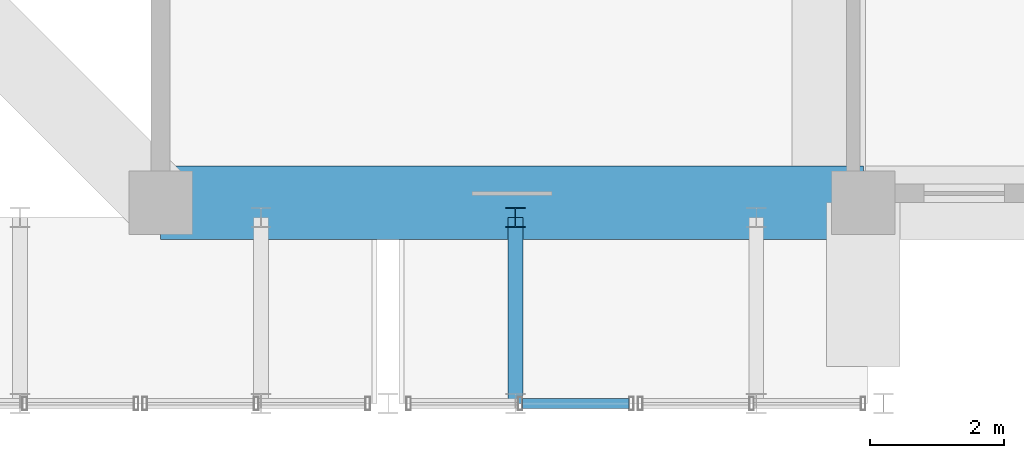
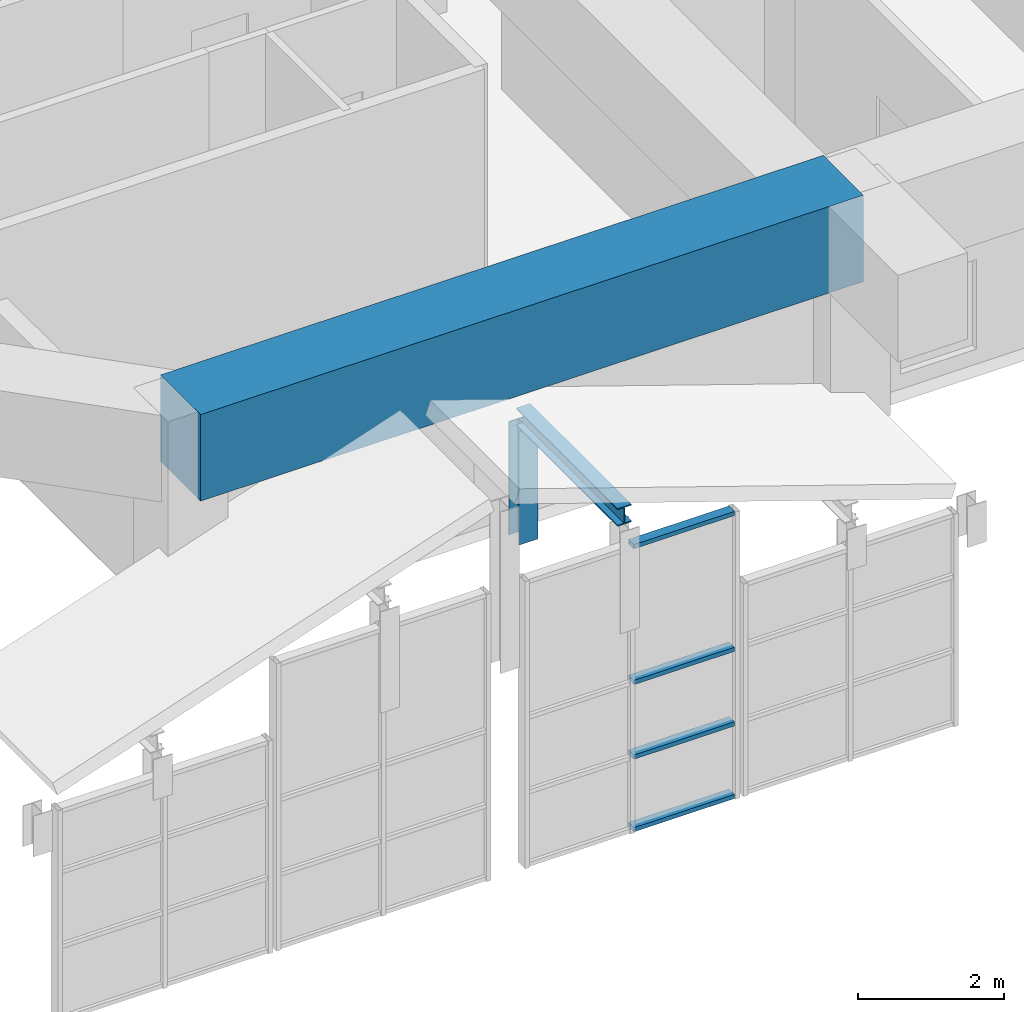
# One storey, part 3 of 45: 6 members, 1 beam, 1 element without a shape of its own.
"""IFC4 building model written with IfcOpenShell, lengths in metres."""

from ifc_helpers import new_model, si_unit, direction, frame, origin, origin_2d, place, context, subcontext, project, spatial, rectangle, hollow_rectangle, i_section, extrude, source, transform, mapped, material, layer, layer_set, material_profile, profile_set, type_object, element, aggregate, save


model = new_model("IFC4")

# Units and contexts
model_context = context("Model", 3, precision=1e-05, world=origin(), true_north=direction((0.0, 1.0)))
body_context = subcontext(model_context, "Body", "Model", "MODEL_VIEW")
ifc_project = project(units=[si_unit("LENGTHUNIT", "METRE"), si_unit("AREAUNIT", "SQUARE_METRE"), si_unit("VOLUMEUNIT", "CUBIC_METRE"), si_unit("PLANEANGLEUNIT", "RADIAN"), si_unit("MASSUNIT", "GRAM", prefix="KILO")], contexts=[model_context])

# Site, building, storey
site_placement = place(None, origin())
site = spatial("IfcSite", under=ifc_project, at=site_placement, CompositionType="ELEMENT")
building_placement = place(site_placement, origin())
building = spatial("IfcBuilding", under=site, at=building_placement, Name="Saelheon Loggia Tower", CompositionType="ELEMENT")
storey_placement = place(building_placement, frame((0.0, 0.0, 152.199951171875)))
storey = spatial("IfcBuildingStorey", under=building, at=storey_placement, Name="L48", CompositionType="ELEMENT", Elevation=152.199951171875)

# Members
ifc_material_1 = material(Name="Steel SM355", Category="steel")
ifc_material_profile_1 = material_profile(ifc_material_1, i_section(OverallWidth=0.219970703125, OverallDepth=0.300048828125, WebThickness=0.011962890625, FlangeThickness=0.02001953125, at=origin_2d()), Name="H-300x220x12x20")
ifc_profile_set_1 = profile_set([ifc_material_profile_1], Name="Steel SM355")
member_type_1 = type_object("IfcMemberType", Name="Roof_ShoulderPurlin_RHS300", PredefinedType="PURLIN", material=ifc_profile_set_1)
shared_shape_1 = source(origin(), body_context, "Body", "SweptSolid", [
    extrude(i_section(OverallWidth=0.219970703125, OverallDepth=0.300048828125, WebThickness=0.011962890625, FlangeThickness=0.02001953125, at=origin_2d()), origin(), (0.0, 0.0, 1.0), 2.780029296875),
])
member_1_placement = place(storey_placement, frame((26.30078125, 3.0, 1.84375), z_axis=(0.0, 1.0, 0.0), x_axis=(-1.0, 0.0, 0.0)))
element("IfcMember", 1, at=member_1_placement, inside=storey, type_object=member_type_1, Name="Tier 1 Wave Crest Rafter SW 02 A", PredefinedType="PURLIN", context=body_context, shape_type="MappedRepresentation", body=[
    mapped(shared_shape_1, transform((0.0, 0.0, 0.0), scale=1.0)),
])
ifc_material_profile_2 = material_profile(ifc_material_1, i_section(OverallWidth=0.300048828125, OverallDepth=0.300048828125, WebThickness=0.010009765625, FlangeThickness=0.014892578125, at=origin_2d()), Name="H-300x300x10x15")
ifc_profile_set_2 = profile_set([ifc_material_profile_2], Name="Steel SM355")
member_type_2 = type_object("IfcMemberType", Name="Belt_Post_H300", PredefinedType="POST", material=ifc_profile_set_2)
shared_shape_2 = source(origin(), body_context, "Body", "SweptSolid", [
    extrude(i_section(OverallWidth=0.300048828125, OverallDepth=0.300048828125, WebThickness=0.010009765625, FlangeThickness=0.014892578125, at=origin_2d()), origin(), (0.0, 0.0, 1.0), 1.893798828125),
])
member_2_placement = place(storey_placement, frame((26.30078125, 5.780029296875, -0.199951171875), z_axis=(0.0, 0.0, 1.0), x_axis=(1.0, 0.0, 0.0)))
element("IfcMember", 2, at=member_2_placement, inside=storey, type_object=member_type_2, Name="Tier 1 Rafter Inner Post SW 02", PredefinedType="POST", context=body_context, shape_type="MappedRepresentation", body=[
    mapped(shared_shape_2, transform((0.0, 0.0, 0.0), scale=1.0)),
])

# Beam
ifc_material_2 = material(Name="Concrete C50/60", Category="concrete")
ifc_material_profile_3 = material_profile(ifc_material_2, rectangle(XDim=1.10009765625, YDim=1.449951171875, at=origin_2d()), Name="RC-1100x1450")
ifc_profile_set_3 = profile_set([ifc_material_profile_3], Name="Concrete C50/60")
beam_type = type_object("IfcBeamType", Name="Beam_PerimTransfer_RC1100x1450", PredefinedType="BEAM", material=ifc_profile_set_3)
shared_shape_3 = source(origin(), body_context, "Body", "SweptSolid", [
    extrude(rectangle(XDim=1.10009765625, YDim=1.449951171875, at=origin_2d()), origin(), (0.0, 0.0, 1.0), 10.5),
])
beam_placement = place(storey_placement, frame((21.0, 6.0, 3.175048828125), z_axis=(1.0, 0.0, 0.0), x_axis=(0.0, 1.0, 0.0)))
element("IfcBeam", 3, at=beam_placement, inside=storey, type_object=beam_type, Name="L48 Perimeter Frame Girder 01", PredefinedType="BEAM", context=body_context, shape_type="MappedRepresentation", body=[
    mapped(shared_shape_3, transform((0.0, 0.0, 0.0), scale=1.0)),
])

# Curtain wall, members
ifc_material_3 = material(Name="Bronze-Anodised Aluminium and Fritted Ceramic Screen", Category="aluminium")
ifc_layer = layer(ifc_material_3, 0.219970703125)
ifc_layer_set = layer_set([ifc_layer], Name="Bronze-Anodised Aluminium and Fritted Ceramic Screen")
curtain_wall_type = type_object("IfcCurtainWallType", Name="CW_CrownScreen", PredefinedType="NOTDEFINED", material=ifc_layer_set)
curtain_wall_placement = place(storey_placement, origin())
curtain_wall = element("IfcCurtainWall", 4, at=curtain_wall_placement, inside=storey, type_object=curtain_wall_type, Name="Tier 1 Wave Crest Glazing SW 02-1", PredefinedType="NOTDEFINED")
ifc_material_4 = material(Name="Bronze-Anodised Aluminium 6063-T6", Category="aluminium")
ifc_material_profile_4 = material_profile(ifc_material_4, hollow_rectangle(XDim=0.070068359375, YDim=0.14990234375, WallThickness=0.0048828125, at=origin_2d()), Name="RHS-150x70x5")
ifc_profile_set_4 = profile_set([ifc_material_profile_4], Name="Bronze-Anodised Aluminium 6063-T6")
member_type_3 = type_object("IfcMemberType", Name="CW_CrownScreen_Transom", PredefinedType="USERDEFINED", material=ifc_profile_set_4)
shared_shape_4 = source(origin(), body_context, "Body", "SweptSolid", [
    extrude(hollow_rectangle(XDim=0.070068359375, YDim=0.14990234375, WallThickness=0.0048828125, at=origin_2d()), origin(), (0.0, 0.0, 1.0), 1.594970703125),
])
member_3_placement = place(storey_placement, frame((26.405029296875, 3.0, -3.4150390625), z_axis=(1.0, 0.0, 0.0), x_axis=(0.0, 0.0, 1.0)))
member_3 = element("IfcMember", 5, at=member_3_placement, type_object=member_type_3, Name="CW6 transom 2.1", ObjectType="TRANSOM", PredefinedType="USERDEFINED", context=body_context, shape_type="MappedRepresentation", body=[
    mapped(shared_shape_4, transform((0.0, 0.0, 0.0), scale=1.0)),
])
member_4_placement = place(storey_placement, frame((26.405029296875, 3.0, -2.199951171875), z_axis=(1.0, 0.0, 0.0), x_axis=(0.0, 0.0, 1.0)))
member_4 = element("IfcMember", 6, at=member_4_placement, type_object=member_type_3, Name="CW6 transom 2.2", ObjectType="TRANSOM", PredefinedType="USERDEFINED", context=body_context, shape_type="MappedRepresentation", body=[
    mapped(shared_shape_4, transform((0.0, 0.0, 0.0), scale=1.0)),
])
member_5_placement = place(storey_placement, frame((26.405029296875, 3.0, -0.949951171875), z_axis=(1.0, 0.0, 0.0), x_axis=(0.0, 0.0, 1.0)))
member_5 = element("IfcMember", 7, at=member_5_placement, type_object=member_type_3, Name="CW6 transom 2.3", ObjectType="TRANSOM", PredefinedType="USERDEFINED", context=body_context, shape_type="MappedRepresentation", body=[
    mapped(shared_shape_4, transform((0.0, 0.0, 0.0), scale=1.0)),
])
member_6_placement = place(storey_placement, frame((26.405029296875, 3.0, 1.324951171875), z_axis=(1.0, 0.0, 0.0), x_axis=(0.0, 0.0, 1.0)))
member_6 = element("IfcMember", 8, at=member_6_placement, type_object=member_type_3, Name="CW6 transom 2.4", ObjectType="TRANSOM", PredefinedType="USERDEFINED", context=body_context, shape_type="MappedRepresentation", body=[
    mapped(shared_shape_4, transform((0.0, 0.0, 0.0), scale=1.0)),
])
aggregate(curtain_wall, [member_3, member_4, member_5, member_6])

save(model, "model.ifc")
